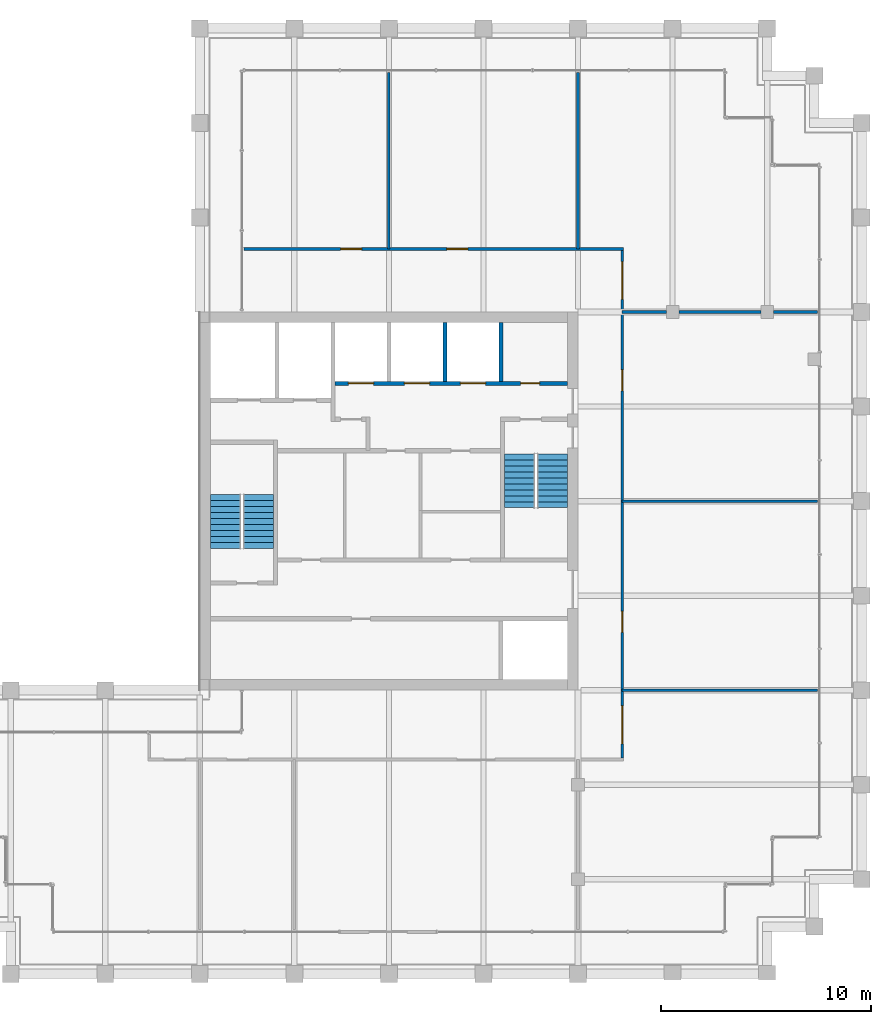
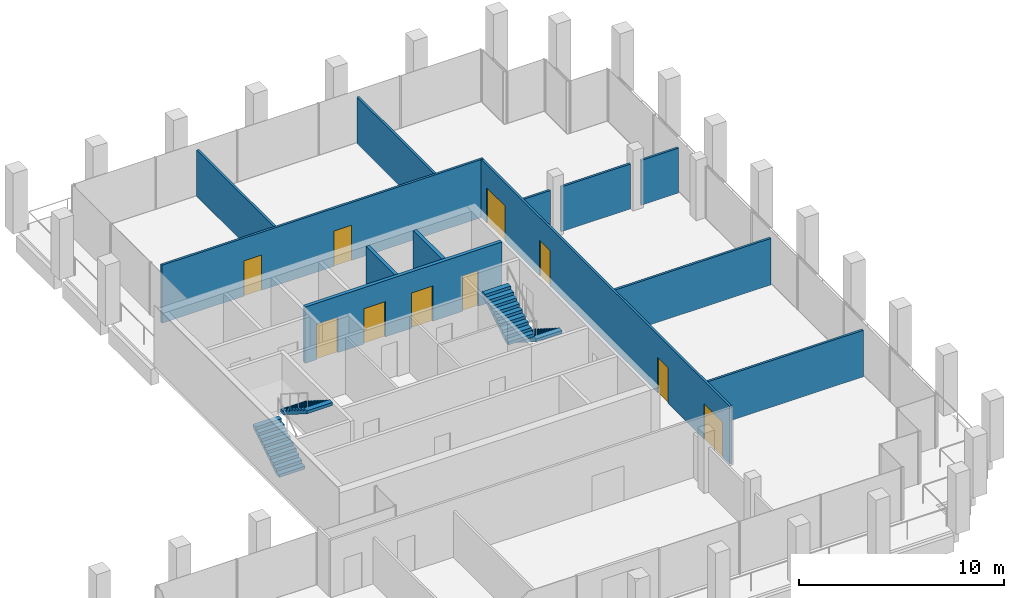
# One storey, part 29 of 30: 12 walls, 10 doors, 4 stair flights, 10 openings, 2 elements without a shape of their own.
"""IFC4 building model written with IfcOpenShell, lengths in metres."""

from ifc_helpers import new_model, si_unit, direction, frame, frame_2d, origin, place, context, subcontext, project, spatial, polyline, rectangle, outline, extrude, material, layer, layer_set, type_object, element, fill, aggregate, save


model = new_model("IFC4")

# Units and contexts
model_context = context("Model", 3, precision=1e-05, world=origin(), true_north=direction((0.0, 1.0)))
body_context = subcontext(model_context, "Body", "Model", "MODEL_VIEW")
ifc_project = project(units=[si_unit("LENGTHUNIT", "METRE"), si_unit("AREAUNIT", "SQUARE_METRE"), si_unit("VOLUMEUNIT", "CUBIC_METRE"), si_unit("PLANEANGLEUNIT", "RADIAN"), si_unit("MASSUNIT", "GRAM", prefix="KILO")], contexts=[model_context])

# Site, building, storey
site_placement = place(None, origin())
site = spatial("IfcSite", under=ifc_project, at=site_placement, CompositionType="ELEMENT")
building_placement = place(site_placement, origin())
building = spatial("IfcBuilding", under=site, at=building_placement, Name="Altepetl Exchange Towers", CompositionType="ELEMENT")
storey_placement = place(building_placement, frame((0.0, 0.0, 231.60009765625)))
storey = spatial("IfcBuildingStorey", under=building, at=storey_placement, Name="L59", CompositionType="ELEMENT", Elevation=231.60009765625)

# Walls
ifc_material_1 = material(Name="Timber panels on aluminium track", Category="wood")
ifc_layer_1 = layer(ifc_material_1, 0.125)
ifc_layer_set_1 = layer_set([ifc_layer_1], Name="Timber panels on aluminium track")
wall_type_1 = type_object("IfcWallType", Name="Operable acoustic partition 125", PredefinedType="MOVABLE", material=ifc_layer_set_1)
wall_1_placement = place(storey_placement, frame((60.60009765625, 49.5, 0.0)))
element("IfcWall", 1, at=wall_1_placement, inside=storey, type_object=wall_type_1, Name="wall:A:L59:P03", PredefinedType="MOVABLE", context=body_context, shape_type="SweptSolid", body=[
    extrude(rectangle(XDim=9.2998046875, YDim=0.125, at=frame_2d((4.64990234375, 0.0))), origin(), (0.0, 0.0, 1.0), 2.77197265625),
])
wall_2_placement = place(storey_placement, frame((49.5, 61.5, 0.0), z_axis=(0.0, 0.0, 1.0), x_axis=(0.0, 1.0, 0.0)))
element("IfcWall", 2, at=wall_2_placement, inside=storey, type_object=wall_type_1, Name="wall:A:L59:P11", PredefinedType="MOVABLE", context=body_context, shape_type="SweptSolid", body=[
    extrude(rectangle(XDim=8.39990234375, YDim=0.125, at=frame_2d((4.199951171875, 0.0))), origin(), (0.0, 0.0, 1.0), 2.77197265625),
])
ifc_material_2 = material(Name="Gypsum board on steel studs", Category="steel")
ifc_layer_2 = layer(ifc_material_2, 0.125)
ifc_layer_set_2 = layer_set([ifc_layer_2], Name="Gypsum board on steel studs")
wall_type_2 = type_object("IfcWallType", Name="Partition 125 gypsum board on steel studs", PredefinedType="PARTITIONING", material=ifc_layer_set_2)
wall_3_placement = place(storey_placement, frame((60.60009765625, 40.5, 0.0)))
element("IfcWall", 3, at=wall_3_placement, inside=storey, type_object=wall_type_2, Name="wall:A:L59:P02", PredefinedType="PARTITIONING", context=body_context, shape_type="SweptSolid", body=[
    extrude(rectangle(XDim=9.2998046875, YDim=0.125, at=frame_2d((4.64990234375, 0.0))), origin(), (0.0, 0.0, 1.0), 2.77197265625),
])
wall_4_placement = place(storey_placement, frame((60.60009765625, 58.5, 0.0)))
element("IfcWall", 4, at=wall_4_placement, inside=storey, type_object=wall_type_2, Name="wall:A:L59:P04", PredefinedType="PARTITIONING", context=body_context, shape_type="SweptSolid", body=[
    extrude(rectangle(XDim=2.099853515625, YDim=0.125, at=frame_2d((1.0498046875, 0.0))), origin(), (0.0, 0.0, 1.0), 2.67578125),
])
wall_5_placement = place(storey_placement, frame((63.300048828125, 58.5, 0.0)))
element("IfcWall", 5, at=wall_5_placement, inside=storey, type_object=wall_type_2, Name="wall:A:L59:P05", PredefinedType="PARTITIONING", context=body_context, shape_type="SweptSolid", body=[
    extrude(rectangle(XDim=3.89990234375, YDim=0.125, at=frame_2d((1.949951171875, 0.0))), origin(), (0.0, 0.0, 1.0), 2.67578125),
])
wall_6_placement = place(storey_placement, frame((67.800048828125, 58.5, 0.0)))
element("IfcWall", 6, at=wall_6_placement, inside=storey, type_object=wall_type_2, Name="wall:A:L59:P06", PredefinedType="PARTITIONING", context=body_context, shape_type="SweptSolid", body=[
    extrude(rectangle(XDim=2.099853515625, YDim=0.125, at=frame_2d((1.0498046875, 0.0))), origin(), (0.0, 0.0, 1.0), 2.67578125),
])

# Wall, openings, doors
wall_7_placement = place(storey_placement, frame((42.60009765625, 61.5, 0.0)))
wall_7 = element("IfcWall", 7, at=wall_7_placement, inside=storey, type_object=wall_type_2, Name="wall:A:L59:P07", PredefinedType="PARTITIONING", context=body_context, shape_type="SweptSolid", body=[
    extrude(rectangle(XDim=18.0625, YDim=0.125, at=frame_2d((9.03125, 0.0))), origin(), (0.0, 0.0, 1.0), 3.449951171875),
])
opening_1_placement = place(wall_7_placement, frame((9.657958984375, 0.0, 0.0)))
opening_1 = element("IfcOpeningElement", 8, at=opening_1_placement, cuts=wall_7, Name="Opening L59.A08", PredefinedType="OPENING", context=body_context, shape_type="SweptSolid", body=[
    extrude(rectangle(XDim=1.0, YDim=2.10009765625, at=frame_2d((0.5, 1.050048828125))), frame((0.0, 0.072509765625, 0.0), z_axis=(0.0, -1.0, 0.0), x_axis=(1.0, 0.0, 0.0)), (0.0, 0.0, 1.0), 0.14501953125),
])
opening_2_placement = place(wall_7_placement, frame((4.60498046875, 0.0, 0.0)))
opening_2 = element("IfcOpeningElement", 9, at=opening_2_placement, cuts=wall_7, Name="Opening L59.A09", PredefinedType="OPENING", context=body_context, shape_type="SweptSolid", body=[
    extrude(rectangle(XDim=1.0, YDim=2.10009765625, at=frame_2d((0.5, 1.050048828125))), frame((0.0, 0.072509765625, 0.0), z_axis=(0.0, -1.0, 0.0), x_axis=(1.0, 0.0, 0.0)), (0.0, 0.0, 1.0), 0.14501953125),
])
ifc_material_3 = material(Name="Steel and timber fire door", Category="steel")
door_type_1 = type_object("IfcDoorType", Name="Fire door 1000 x 2100 single leaf", OperationType="SINGLE_SWING_LEFT", PredefinedType="DOOR", material=ifc_material_3)
door_1_placement = place(opening_1_placement, origin())
door_1 = element("IfcDoor", 10, at=door_1_placement, inside=storey, type_object=door_type_1, Name="door:A:L59:08", OperationType="SINGLE_SWING_LEFT", OverallHeight=2.10009765625, OverallWidth=1.0, PredefinedType="DOOR", context=body_context, shape_type="SweptSolid", body=[
    extrude(rectangle(XDim=1.0, YDim=2.10009765625, at=frame_2d((0.5, 1.050048828125))), frame((0.0, 0.02490234375, 0.0), z_axis=(0.0, -1.0, 0.0), x_axis=(1.0, 0.0, 0.0)), (0.0, 0.0, 1.0), 0.050048828125),
])
fill(opening_1, door_1)
door_2_placement = place(opening_2_placement, origin())
door_2 = element("IfcDoor", 11, at=door_2_placement, inside=storey, type_object=door_type_1, Name="door:A:L59:09", OperationType="SINGLE_SWING_RIGHT", OverallHeight=2.10009765625, OverallWidth=1.0, PredefinedType="DOOR", context=body_context, shape_type="SweptSolid", body=[
    extrude(rectangle(XDim=1.0, YDim=2.10009765625, at=frame_2d((0.5, 1.050048828125))), frame((0.0, 0.02490234375, 0.0), z_axis=(0.0, -1.0, 0.0), x_axis=(1.0, 0.0, 0.0)), (0.0, 0.0, 1.0), 0.050048828125),
])
fill(opening_2, door_2)

# Wall
wall_8_placement = place(storey_placement, frame((58.5, 61.5, 0.0), z_axis=(0.0, 0.0, 1.0), x_axis=(0.0, 1.0, 0.0)))
element("IfcWall", 12, at=wall_8_placement, inside=storey, type_object=wall_type_2, Name="wall:A:L59:P15", PredefinedType="PARTITIONING", context=body_context, shape_type="SweptSolid", body=[
    extrude(rectangle(XDim=8.39990234375, YDim=0.125, at=frame_2d((4.199951171875, 0.0))), origin(), (0.0, 0.0, 1.0), 2.77197265625),
])

# Wall, openings, doors
wall_9_placement = place(storey_placement, frame((60.60009765625, 37.262451171875, 0.0), z_axis=(0.0, 0.0, 1.0), x_axis=(0.0, 1.0, 0.0)))
wall_9 = element("IfcWall", 13, at=wall_9_placement, inside=storey, type_object=wall_type_2, Name="wall:A:L59:P16", PredefinedType="PARTITIONING", context=body_context, shape_type="SweptSolid", body=[
    extrude(rectangle(XDim=24.175048828125, YDim=0.125, at=frame_2d((12.08740234375, 0.0))), origin(), (0.0, 0.0, 1.0), 3.449951171875),
])
opening_3_placement = place(wall_9_placement, frame((0.6875, 0.0, 0.0)))
opening_3 = element("IfcOpeningElement", 14, at=opening_3_placement, cuts=wall_9, Name="Opening L59.A04", PredefinedType="OPENING", context=body_context, shape_type="SweptSolid", body=[
    extrude(rectangle(XDim=1.800048828125, YDim=2.10009765625, at=frame_2d((0.89990234375, 1.050048828125))), frame((0.0, 0.072509765625, 0.0), z_axis=(0.0, -1.0, 0.0), x_axis=(1.0, 0.0, 0.0)), (0.0, 0.0, 1.0), 0.14501953125),
])
opening_4_placement = place(wall_9_placement, frame((5.99560546875, 0.0, 0.0)))
opening_4 = element("IfcOpeningElement", 15, at=opening_4_placement, cuts=wall_9, Name="Opening L59.A05", PredefinedType="OPENING", context=body_context, shape_type="SweptSolid", body=[
    extrude(rectangle(XDim=1.0, YDim=2.10009765625, at=frame_2d((0.5, 1.050048828125))), frame((0.0, 0.072509765625, 0.0), z_axis=(0.0, -1.0, 0.0), x_axis=(1.0, 0.0, 0.0)), (0.0, 0.0, 1.0), 0.14501953125),
])
opening_5_placement = place(wall_9_placement, frame((17.4794921875, 0.0, 0.0)))
opening_5 = element("IfcOpeningElement", 16, at=opening_5_placement, cuts=wall_9, Name="Opening L59.A06", PredefinedType="OPENING", context=body_context, shape_type="SweptSolid", body=[
    extrude(rectangle(XDim=1.0, YDim=2.10009765625, at=frame_2d((0.5, 1.050048828125))), frame((0.0, 0.072509765625, 0.0), z_axis=(0.0, -1.0, 0.0), x_axis=(1.0, 0.0, 0.0)), (0.0, 0.0, 1.0), 0.14501953125),
])
opening_6_placement = place(wall_9_placement, frame((21.83740234375, 0.0, 0.0)))
opening_6 = element("IfcOpeningElement", 17, at=opening_6_placement, cuts=wall_9, Name="Opening L59.A07", PredefinedType="OPENING", context=body_context, shape_type="SweptSolid", body=[
    extrude(rectangle(XDim=1.800048828125, YDim=2.10009765625, at=frame_2d((0.89990234375, 1.050048828125))), frame((0.0, 0.072509765625, 0.0), z_axis=(0.0, -1.0, 0.0), x_axis=(1.0, 0.0, 0.0)), (0.0, 0.0, 1.0), 0.14501953125),
])
door_3_placement = place(opening_4_placement, frame((1.0, 0.0, 0.0), x_axis=(-1.0, 0.0, 0.0)))
door_3 = element("IfcDoor", 18, at=door_3_placement, inside=storey, type_object=door_type_1, Name="door:A:L59:05", OperationType="SINGLE_SWING_RIGHT", OverallHeight=2.10009765625, OverallWidth=1.0, PredefinedType="DOOR", context=body_context, shape_type="SweptSolid", body=[
    extrude(rectangle(XDim=1.0, YDim=2.10009765625, at=frame_2d((0.5, 1.050048828125))), frame((0.0, 0.02490234375, 0.0), z_axis=(0.0, -1.0, 0.0), x_axis=(1.0, 0.0, 0.0)), (0.0, 0.0, 1.0), 0.050048828125),
])
fill(opening_4, door_3)
door_4_placement = place(opening_5_placement, frame((1.0, 0.0, 0.0), x_axis=(-1.0, 0.0, 0.0)))
door_4 = element("IfcDoor", 19, at=door_4_placement, inside=storey, type_object=door_type_1, Name="door:A:L59:06", OperationType="SINGLE_SWING_RIGHT", OverallHeight=2.10009765625, OverallWidth=1.0, PredefinedType="DOOR", context=body_context, shape_type="SweptSolid", body=[
    extrude(rectangle(XDim=1.0, YDim=2.10009765625, at=frame_2d((0.5, 1.050048828125))), frame((0.0, 0.02490234375, 0.0), z_axis=(0.0, -1.0, 0.0), x_axis=(1.0, 0.0, 0.0)), (0.0, 0.0, 1.0), 0.050048828125),
])
fill(opening_5, door_4)
door_type_2 = type_object("IfcDoorType", Name="Fire door 1800 x 2100 double leaf", OperationType="DOUBLE_DOOR_SINGLE_SWING", PredefinedType="DOOR", material=ifc_material_3)
door_5_placement = place(opening_3_placement, frame((1.800048828125, 0.0, 0.0), x_axis=(-1.0, 0.0, 0.0)))
door_5 = element("IfcDoor", 20, at=door_5_placement, inside=storey, type_object=door_type_2, Name="door:A:L59:04", OperationType="DOUBLE_DOOR_SINGLE_SWING", OverallHeight=2.10009765625, OverallWidth=1.800048828125, PredefinedType="DOOR", context=body_context, shape_type="SweptSolid", body=[
    extrude(rectangle(XDim=1.800048828125, YDim=2.10009765625, at=frame_2d((0.89990234375, 1.050048828125))), frame((0.0, 0.02490234375, 0.0), z_axis=(0.0, -1.0, 0.0), x_axis=(1.0, 0.0, 0.0)), (0.0, 0.0, 1.0), 0.050048828125),
])
fill(opening_3, door_5)
door_6_placement = place(opening_6_placement, frame((1.800048828125, 0.0, 0.0), x_axis=(-1.0, 0.0, 0.0)))
door_6 = element("IfcDoor", 21, at=door_6_placement, inside=storey, type_object=door_type_2, Name="door:A:L59:07", OperationType="DOUBLE_DOOR_SINGLE_SWING", OverallHeight=2.10009765625, OverallWidth=1.800048828125, PredefinedType="DOOR", context=body_context, shape_type="SweptSolid", body=[
    extrude(rectangle(XDim=1.800048828125, YDim=2.10009765625, at=frame_2d((0.89990234375, 1.050048828125))), frame((0.0, 0.02490234375, 0.0), z_axis=(0.0, -1.0, 0.0), x_axis=(1.0, 0.0, 0.0)), (0.0, 0.0, 1.0), 0.050048828125),
])
fill(opening_6, door_6)

# Walls
ifc_material_4 = material(Name="Concrete C40/50", Category="concrete")
ifc_layer_3 = layer(ifc_material_4, 0.199951171875)
ifc_layer_set_3 = layer_set([ifc_layer_3], Name="Concrete C40/50")
wall_type_3 = type_object("IfcWallType", Name="Shaft wall 200 reinforced concrete", PredefinedType="SHEAR", material=ifc_layer_set_3)
for number, where, z_axis, x_axis, name in (
    (22, (52.166748046875, 58.0, 0.0), (0.0, 0.0, 1.0), (0.0, -1.0, 0.0), "wall:A:L59:K-divN4"),
    (23, (54.833251953125, 58.0, 0.0), (0.0, 0.0, 1.0), (0.0, -1.0, 0.0), "wall:A:L59:K-divN5"),
):
    element("IfcWall", number, at=place(storey_placement, frame(where, z_axis=z_axis, x_axis=x_axis)), inside=storey, type_object=wall_type_3, Name=name, PredefinedType="SHEAR", context=body_context, shape_type="SweptSolid", body=[
        extrude(rectangle(XDim=2.800048828125, YDim=0.199951171875, at=frame_2d((1.39990234375, 0.0))), origin(), (0.0, 0.0, 1.0), 3.349853515625),
    ])

# Wall, openings, doors
wall_10_placement = place(storey_placement, frame((46.933349609375, 55.10009765625, 0.0)))
wall_10 = element("IfcWall", 24, at=wall_10_placement, inside=storey, type_object=wall_type_3, Name="wall:A:L59:K-frontNb", PredefinedType="SHEAR", context=body_context, shape_type="SweptSolid", body=[
    extrude(rectangle(XDim=11.066650390625, YDim=0.199951171875, at=frame_2d((5.533203125, 0.0))), origin(), (0.0, 0.0, 1.0), 3.349853515625),
])
opening_7_placement = place(wall_10_placement, frame((8.83349609375, 0.0, 0.0)))
opening_7 = element("IfcOpeningElement", 25, at=opening_7_placement, cuts=wall_10, Name="Opening L59.A66", PredefinedType="OPENING", context=body_context, shape_type="SweptSolid", body=[
    extrude(rectangle(XDim=0.89990234375, YDim=2.10009765625, at=frame_2d((0.449951171875, 1.050048828125))), frame((0.0, 0.10986328125, 0.0), z_axis=(0.0, -1.0, 0.0), x_axis=(1.0, 0.0, 0.0)), (0.0, 0.0, 1.0), 0.219970703125),
])
opening_8_placement = place(wall_10_placement, frame((0.63330078125, 0.0, 0.0)))
opening_8 = element("IfcOpeningElement", 26, at=opening_8_placement, cuts=wall_10, Name="Opening L59.A74", PredefinedType="OPENING", context=body_context, shape_type="SweptSolid", body=[
    extrude(rectangle(XDim=1.199951171875, YDim=2.10009765625, at=frame_2d((0.60009765625, 1.050048828125))), frame((0.0, 0.10986328125, 0.0), z_axis=(0.0, -1.0, 0.0), x_axis=(1.0, 0.0, 0.0)), (0.0, 0.0, 1.0), 0.219970703125),
])
opening_9_placement = place(wall_10_placement, frame((3.300048828125, 0.0, 0.0)))
opening_9 = element("IfcOpeningElement", 27, at=opening_9_placement, cuts=wall_10, Name="Opening L59.A75", PredefinedType="OPENING", context=body_context, shape_type="SweptSolid", body=[
    extrude(rectangle(XDim=1.199951171875, YDim=2.10009765625, at=frame_2d((0.60009765625, 1.050048828125))), frame((0.0, 0.10986328125, 0.0), z_axis=(0.0, -1.0, 0.0), x_axis=(1.0, 0.0, 0.0)), (0.0, 0.0, 1.0), 0.219970703125),
])
opening_10_placement = place(wall_10_placement, frame((5.966796875, 0.0, 0.0)))
opening_10 = element("IfcOpeningElement", 28, at=opening_10_placement, cuts=wall_10, Name="Opening L59.A76", PredefinedType="OPENING", context=body_context, shape_type="SweptSolid", body=[
    extrude(rectangle(XDim=1.199951171875, YDim=2.10009765625, at=frame_2d((0.60009765625, 1.050048828125))), frame((0.0, 0.10986328125, 0.0), z_axis=(0.0, -1.0, 0.0), x_axis=(1.0, 0.0, 0.0)), (0.0, 0.0, 1.0), 0.219970703125),
])
door_type_3 = type_object("IfcDoorType", Name="Fire door 900 x 2100 service room", OperationType="SINGLE_SWING_LEFT", PredefinedType="DOOR", material=ifc_material_3)
door_7_placement = place(opening_7_placement, origin())
door_7 = element("IfcDoor", 29, at=door_7_placement, inside=storey, type_object=door_type_3, Name="door:A:L59:K-driser", OperationType="SINGLE_SWING_RIGHT", OverallHeight=2.10009765625, OverallWidth=0.89990234375, PredefinedType="DOOR", context=body_context, shape_type="SweptSolid", body=[
    extrude(rectangle(XDim=0.89990234375, YDim=2.10009765625, at=frame_2d((0.449951171875, 1.050048828125))), frame((0.0, 0.02490234375, 0.0), z_axis=(0.0, -1.0, 0.0), x_axis=(1.0, 0.0, 0.0)), (0.0, 0.0, 1.0), 0.050048828125),
])
fill(opening_7, door_7)
ifc_material_5 = material(Name="Stainless steel", Category="steel")
door_type_4 = type_object("IfcDoorType", Name="Lift landing door 1200 x 2100", OperationType="SLIDING_TO_LEFT", PredefinedType="DOOR", material=ifc_material_5)
door_8_placement = place(opening_8_placement, origin())
door_8 = element("IfcDoor", 30, at=door_8_placement, inside=storey, type_object=door_type_4, Name="Landing door P5", OperationType="SLIDING_TO_LEFT", OverallHeight=2.10009765625, OverallWidth=1.199951171875, PredefinedType="DOOR", context=body_context, shape_type="SweptSolid", body=[
    extrude(rectangle(XDim=1.199951171875, YDim=2.10009765625, at=frame_2d((0.60009765625, 1.050048828125))), frame((0.0, 0.02490234375, 0.0), z_axis=(0.0, -1.0, 0.0), x_axis=(1.0, 0.0, 0.0)), (0.0, 0.0, 1.0), 0.050048828125),
])
fill(opening_8, door_8)
door_9_placement = place(opening_9_placement, origin())
door_9 = element("IfcDoor", 31, at=door_9_placement, inside=storey, type_object=door_type_4, Name="Landing door P6", OperationType="SLIDING_TO_LEFT", OverallHeight=2.10009765625, OverallWidth=1.199951171875, PredefinedType="DOOR", context=body_context, shape_type="SweptSolid", body=[
    extrude(rectangle(XDim=1.199951171875, YDim=2.10009765625, at=frame_2d((0.60009765625, 1.050048828125))), frame((0.0, 0.02490234375, 0.0), z_axis=(0.0, -1.0, 0.0), x_axis=(1.0, 0.0, 0.0)), (0.0, 0.0, 1.0), 0.050048828125),
])
fill(opening_9, door_9)
door_10_placement = place(opening_10_placement, origin())
door_10 = element("IfcDoor", 32, at=door_10_placement, inside=storey, type_object=door_type_4, Name="Landing door P7", OperationType="SLIDING_TO_LEFT", OverallHeight=2.10009765625, OverallWidth=1.199951171875, PredefinedType="DOOR", context=body_context, shape_type="SweptSolid", body=[
    extrude(rectangle(XDim=1.199951171875, YDim=2.10009765625, at=frame_2d((0.60009765625, 1.050048828125))), frame((0.0, 0.02490234375, 0.0), z_axis=(0.0, -1.0, 0.0), x_axis=(1.0, 0.0, 0.0)), (0.0, 0.0, 1.0), 0.050048828125),
])
fill(opening_10, door_10)

# Stair, stair flights
stair_type = type_object("IfcStairType", Name="Exit stair 1450 flights dogleg", PredefinedType="HALF_TURN_STAIR", material=ifc_material_4)
stair_1_placement = place(storey_placement, origin())
stair_1 = element("IfcStair", 33, at=stair_1_placement, inside=storey, type_object=stair_type, Name="Exit stair 1", PredefinedType="HALF_TURN_STAIR")
stair_flight_type = type_object("IfcStairFlightType", Name="Stair flight 1450 wide", PredefinedType="STRAIGHT", material=ifc_material_4)
stair_flight_1_placement = place(storey_placement, frame((41.72509765625, 47.25, 0.0), z_axis=(0.0, 0.0, 1.0), x_axis=(0.0, 1.0, 0.0)))
stair_flight_1 = element("IfcStairFlight", 34, at=stair_flight_1_placement, type_object=stair_flight_type, Name="ST-A1f flight 1", NumberOfRisers=10, NumberOfTreads=9, PredefinedType="STRAIGHT", RiserHeight=0.18, TreadLength=0.285, context=body_context, shape_type="SweptSolid", body=[
    extrude(outline(polyline([(0.0, 0.0), (0.0, 0.179931640625), (0.284912109375, 0.179931640625), (0.284912109375, 0.360107421875), (0.570068359375, 0.360107421875), (0.570068359375, 0.5400390625), (0.85498046875, 0.5400390625), (0.85498046875, 0.719970703125), (1.139892578125, 0.719970703125), (1.139892578125, 0.89990234375), (1.425048828125, 0.89990234375), (1.425048828125, 1.080078125), (1.7099609375, 1.080078125), (1.7099609375, 1.260009765625), (1.9951171875, 1.260009765625), (1.9951171875, 1.43994140625), (2.280029296875, 1.43994140625), (2.280029296875, 1.6201171875), (2.56494140625, 1.6201171875), (2.56494140625, 1.800048828125), (2.56494140625, 1.442626953125), (0.28076171875, 0.0), (0.0, 0.0)])), frame((0.0, 0.72509765625, 0.0), z_axis=(0.0, -1.0, 0.0), x_axis=(1.0, 0.0, 0.0)), (0.0, 0.0, 1.0), 1.449951171875),
])
stair_flight_2_placement = place(storey_placement, frame((43.27490234375, 49.81494140625, 1.7998046875), z_axis=(0.0, 0.0, 1.0), x_axis=(0.0, -1.0, 0.0)))
stair_flight_2 = element("IfcStairFlight", 35, at=stair_flight_2_placement, type_object=stair_flight_type, Name="ST-A1f flight 2", NumberOfRisers=10, NumberOfTreads=9, PredefinedType="STRAIGHT", RiserHeight=0.18, TreadLength=0.285, context=body_context, shape_type="SweptSolid", body=[
    extrude(outline(polyline([(0.0, 0.0), (0.0, 0.179931640625), (0.284912109375, 0.179931640625), (0.284912109375, 0.360107421875), (0.570068359375, 0.360107421875), (0.570068359375, 0.5400390625), (0.85498046875, 0.5400390625), (0.85498046875, 0.719970703125), (1.139892578125, 0.719970703125), (1.139892578125, 0.89990234375), (1.425048828125, 0.89990234375), (1.425048828125, 1.080078125), (1.7099609375, 1.080078125), (1.7099609375, 1.260009765625), (1.9951171875, 1.260009765625), (1.9951171875, 1.43994140625), (2.280029296875, 1.43994140625), (2.280029296875, 1.6201171875), (2.56494140625, 1.6201171875), (2.56494140625, 1.800048828125), (2.56494140625, 1.442626953125), (0.28076171875, 0.0), (0.0, 0.0)])), frame((0.0, 0.72509765625, 0.0), z_axis=(0.0, -1.0, 0.0), x_axis=(1.0, 0.0, 0.0)), (0.0, 0.0, 1.0), 1.449951171875),
])
aggregate(stair_1, [stair_flight_1, stair_flight_2])

stair_2_placement = place(storey_placement, origin())
stair_2 = element("IfcStair", 36, at=stair_2_placement, inside=storey, type_object=stair_type, Name="Exit stair 2", PredefinedType="HALF_TURN_STAIR")
stair_flight_3_placement = place(storey_placement, frame((57.27490234375, 51.75, 0.0), z_axis=(0.0, 0.0, 1.0), x_axis=(0.0, -1.0, 0.0)))
stair_flight_3 = element("IfcStairFlight", 37, at=stair_flight_3_placement, type_object=stair_flight_type, Name="ST-A2f flight 1", NumberOfRisers=10, NumberOfTreads=9, PredefinedType="STRAIGHT", RiserHeight=0.18, TreadLength=0.285, context=body_context, shape_type="SweptSolid", body=[
    extrude(outline(polyline([(0.0, 0.0), (0.0, 0.179931640625), (0.284912109375, 0.179931640625), (0.284912109375, 0.360107421875), (0.570068359375, 0.360107421875), (0.570068359375, 0.5400390625), (0.85498046875, 0.5400390625), (0.85498046875, 0.719970703125), (1.139892578125, 0.719970703125), (1.139892578125, 0.89990234375), (1.425048828125, 0.89990234375), (1.425048828125, 1.080078125), (1.7099609375, 1.080078125), (1.7099609375, 1.260009765625), (1.9951171875, 1.260009765625), (1.9951171875, 1.43994140625), (2.280029296875, 1.43994140625), (2.280029296875, 1.6201171875), (2.56494140625, 1.6201171875), (2.56494140625, 1.800048828125), (2.56494140625, 1.442626953125), (0.28076171875, 0.0), (0.0, 0.0)])), frame((0.0, 0.72509765625, 0.0), z_axis=(0.0, -1.0, 0.0), x_axis=(1.0, 0.0, 0.0)), (0.0, 0.0, 1.0), 1.449951171875),
])
stair_flight_4_placement = place(storey_placement, frame((55.72509765625, 49.18505859375, 1.7998046875), z_axis=(0.0, 0.0, 1.0), x_axis=(0.0, 1.0, 0.0)))
stair_flight_4 = element("IfcStairFlight", 38, at=stair_flight_4_placement, type_object=stair_flight_type, Name="ST-A2f flight 2", NumberOfRisers=10, NumberOfTreads=9, PredefinedType="STRAIGHT", RiserHeight=0.18, TreadLength=0.285, context=body_context, shape_type="SweptSolid", body=[
    extrude(outline(polyline([(0.0, 0.0), (0.0, 0.179931640625), (0.284912109375, 0.179931640625), (0.284912109375, 0.360107421875), (0.570068359375, 0.360107421875), (0.570068359375, 0.5400390625), (0.85498046875, 0.5400390625), (0.85498046875, 0.719970703125), (1.139892578125, 0.719970703125), (1.139892578125, 0.89990234375), (1.425048828125, 0.89990234375), (1.425048828125, 1.080078125), (1.7099609375, 1.080078125), (1.7099609375, 1.260009765625), (1.9951171875, 1.260009765625), (1.9951171875, 1.43994140625), (2.280029296875, 1.43994140625), (2.280029296875, 1.6201171875), (2.56494140625, 1.6201171875), (2.56494140625, 1.800048828125), (2.56494140625, 1.442626953125), (0.28076171875, 0.0), (0.0, 0.0)])), frame((0.0, 0.72509765625, 0.0), z_axis=(0.0, -1.0, 0.0), x_axis=(1.0, 0.0, 0.0)), (0.0, 0.0, 1.0), 1.449951171875),
])
aggregate(stair_2, [stair_flight_3, stair_flight_4])

save(model, "model.ifc")
